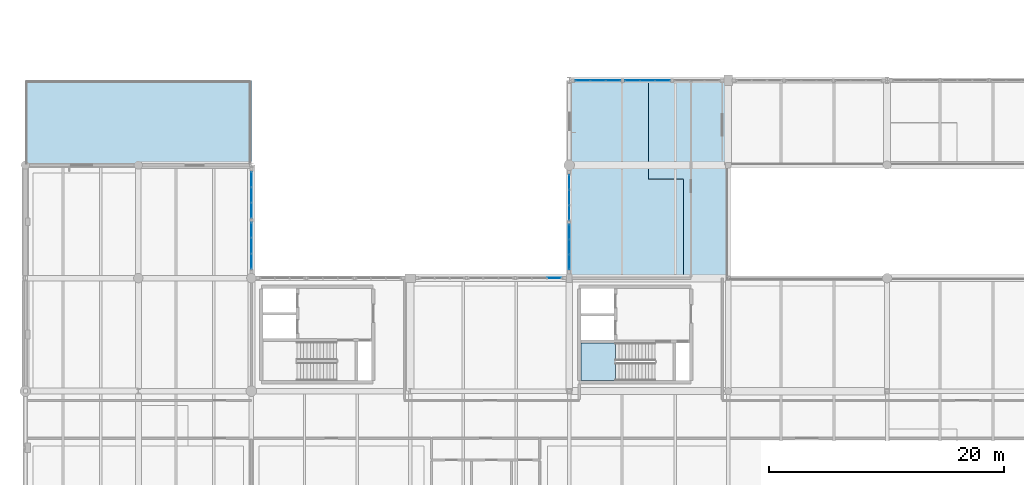
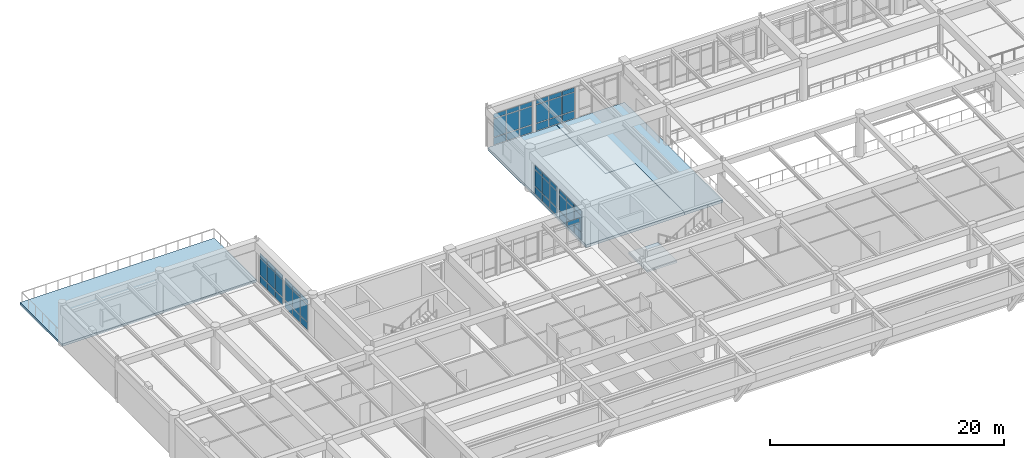
# One storey, part 52 of 80: 55 plates, 4 slabs, 8 elements without a shape of their own.
"""IFC4 building model written with IfcOpenShell, lengths in metres."""

from ifc_helpers import new_model, si_unit, direction, frame, origin, origin_2d, place, context, subcontext, project, spatial, polyline, rectangle, outline, extrude, material, layer, layer_set, type_object, element, aggregate, save


model = new_model("IFC4")

# Units and contexts
model_context = context("Model", 3, precision=1e-05, world=origin(), true_north=direction((0.0, 1.0)))
body_context = subcontext(model_context, "Body", "Model", "MODEL_VIEW")
ifc_project = project(units=[si_unit("LENGTHUNIT", "METRE"), si_unit("AREAUNIT", "SQUARE_METRE"), si_unit("VOLUMEUNIT", "CUBIC_METRE"), si_unit("PLANEANGLEUNIT", "RADIAN"), si_unit("MASSUNIT", "GRAM", prefix="KILO")], contexts=[model_context])

# Site, building, storey
site_placement = place(None, origin())
site = spatial("IfcSite", under=ifc_project, at=site_placement, CompositionType="ELEMENT")
building_placement = place(site_placement, origin())
building = spatial("IfcBuilding", under=site, at=building_placement, Name="Fikremerkos Civic Library", CompositionType="ELEMENT")
storey_placement = place(building_placement, frame((0.0, 0.0, 9.89990234375)))
storey = spatial("IfcBuildingStorey", under=building, at=storey_placement, Name="L02", CompositionType="ELEMENT", Elevation=9.89990234375)

# Curtain wall, plates
ifc_material_1 = material(Name="Anodized aluminium Frame", Category="aluminium")
ifc_layer_1 = layer(ifc_material_1, 0.159912109375, Name="Anodized aluminium Frame")
ifc_layer_set_1 = layer_set([ifc_layer_1], Name="Anodized aluminium Frame")
curtain_wall_type_1 = type_object("IfcCurtainWallType", Name="Unitised curtain wall CW-01 3600x3600", PredefinedType="USERDEFINED", material=ifc_layer_set_1)
curtain_wall_1_placement = place(storey_placement, origin())
curtain_wall_1 = element("IfcCurtainWall", 1, at=curtain_wall_1_placement, inside=storey, type_object=curtain_wall_type_1, Name="Unitised curtain wall CW-01 L02 #145", ObjectType="UNITISED CURTAIN WALL", PredefinedType="USERDEFINED")
ifc_material_2 = material(Name="Solar control double glazing", Category="glass")
ifc_layer_2 = layer(ifc_material_2, 0.028076171875, Name="Solar control double glazing")
ifc_layer_set_2 = layer_set([ifc_layer_2], Name="Solar control double glazing")
plate_type_1 = type_object("IfcPlateType", Name="Curtain glazing panel CWP-01 28", PredefinedType="CURTAIN_PANEL", material=ifc_layer_set_2)
plate_1_placement = place(storey_placement, frame((19.199951171875, 35.275146484375, 0.070068359375), z_axis=(0.0, 0.0, 1.0), x_axis=(0.0, -1.0, 0.0)))
plate_1 = element("IfcPlate", 2, at=plate_1_placement, type_object=plate_type_1, Name="CW-01 panel 1.1", PredefinedType="CURTAIN_PANEL", context=body_context, shape_type="SweptSolid", body=[
    extrude(rectangle(XDim=1.23974609375, YDim=0.028076171875, at=origin_2d()), origin(), (0.0, 0.0, 1.0), 0.7451171875),
])
plate_2_placement = place(storey_placement, frame((19.199951171875, 35.275146484375, 0.88525390625), z_axis=(0.0, 0.0, 1.0), x_axis=(0.0, -1.0, 0.0)))
plate_2 = element("IfcPlate", 3, at=plate_2_placement, type_object=plate_type_1, Name="CW-01 panel 1.2", PredefinedType="CURTAIN_PANEL", context=body_context, shape_type="SweptSolid", body=[
    extrude(rectangle(XDim=1.23974609375, YDim=0.028076171875, at=origin_2d()), origin(), (0.0, 0.0, 1.0), 1.780029296875),
])
plate_3_placement = place(storey_placement, frame((19.199951171875, 35.275146484375, 2.73486328125), z_axis=(0.0, 0.0, 1.0), x_axis=(0.0, -1.0, 0.0)))
plate_3 = element("IfcPlate", 4, at=plate_3_placement, type_object=plate_type_1, Name="CW-01 panel 1.3", PredefinedType="CURTAIN_PANEL", context=body_context, shape_type="SweptSolid", body=[
    extrude(rectangle(XDim=1.23974609375, YDim=0.028076171875, at=origin_2d()), origin(), (0.0, 0.0, 1.0), 0.445068359375),
])
plate_4_placement = place(storey_placement, frame((19.199951171875, 33.9541015625, 0.070068359375), z_axis=(0.0, 0.0, 1.0), x_axis=(0.0, -1.0, 0.0)))
plate_4 = element("IfcPlate", 5, at=plate_4_placement, type_object=plate_type_1, Name="CW-01 panel 2.1", PredefinedType="CURTAIN_PANEL", context=body_context, shape_type="SweptSolid", body=[
    extrude(rectangle(XDim=1.272216796875, YDim=0.028076171875, at=origin_2d()), origin(), (0.0, 0.0, 1.0), 0.7451171875),
])
plate_5_placement = place(storey_placement, frame((19.199951171875, 33.9541015625, 0.88525390625), z_axis=(0.0, 0.0, 1.0), x_axis=(0.0, -1.0, 0.0)))
plate_5 = element("IfcPlate", 6, at=plate_5_placement, type_object=plate_type_1, Name="CW-01 panel 2.2", PredefinedType="CURTAIN_PANEL", context=body_context, shape_type="SweptSolid", body=[
    extrude(rectangle(XDim=1.272216796875, YDim=0.028076171875, at=origin_2d()), origin(), (0.0, 0.0, 1.0), 1.780029296875),
])
plate_6_placement = place(storey_placement, frame((19.199951171875, 33.9541015625, 2.73486328125), z_axis=(0.0, 0.0, 1.0), x_axis=(0.0, -1.0, 0.0)))
plate_6 = element("IfcPlate", 7, at=plate_6_placement, type_object=plate_type_1, Name="CW-01 panel 2.3", PredefinedType="CURTAIN_PANEL", context=body_context, shape_type="SweptSolid", body=[
    extrude(rectangle(XDim=1.272216796875, YDim=0.028076171875, at=origin_2d()), origin(), (0.0, 0.0, 1.0), 0.445068359375),
])
plate_7_placement = place(storey_placement, frame((19.199951171875, 32.6328125, 0.070068359375), z_axis=(0.0, 0.0, 1.0), x_axis=(0.0, -1.0, 0.0)))
plate_7 = element("IfcPlate", 8, at=plate_7_placement, type_object=plate_type_1, Name="CW-01 panel 3.1", PredefinedType="CURTAIN_PANEL", context=body_context, shape_type="SweptSolid", body=[
    extrude(rectangle(XDim=1.23974609375, YDim=0.028076171875, at=origin_2d()), origin(), (0.0, 0.0, 1.0), 0.7451171875),
])
plate_8_placement = place(storey_placement, frame((19.199951171875, 32.6328125, 0.88525390625), z_axis=(0.0, 0.0, 1.0), x_axis=(0.0, -1.0, 0.0)))
plate_8 = element("IfcPlate", 9, at=plate_8_placement, type_object=plate_type_1, Name="CW-01 panel 3.2", PredefinedType="CURTAIN_PANEL", context=body_context, shape_type="SweptSolid", body=[
    extrude(rectangle(XDim=1.23974609375, YDim=0.028076171875, at=origin_2d()), origin(), (0.0, 0.0, 1.0), 1.780029296875),
])
plate_9_placement = place(storey_placement, frame((19.199951171875, 32.6328125, 2.73486328125), z_axis=(0.0, 0.0, 1.0), x_axis=(0.0, -1.0, 0.0)))
plate_9 = element("IfcPlate", 10, at=plate_9_placement, type_object=plate_type_1, Name="CW-01 panel 3.3", PredefinedType="CURTAIN_PANEL", context=body_context, shape_type="SweptSolid", body=[
    extrude(rectangle(XDim=1.23974609375, YDim=0.028076171875, at=origin_2d()), origin(), (0.0, 0.0, 1.0), 0.445068359375),
])
aggregate(curtain_wall_1, [plate_1, plate_2, plate_3, plate_4, plate_5, plate_6, plate_7, plate_8, plate_9])

ifc_layer_3 = layer(ifc_material_1, 0.159912109375, Name="Anodized aluminium Frame")
ifc_layer_set_3 = layer_set([ifc_layer_3], Name="Anodized aluminium Frame")
curtain_wall_type_2 = type_object("IfcCurtainWallType", Name="Unitised curtain wall CW-09 3600x3400", PredefinedType="USERDEFINED", material=ifc_layer_set_3)
curtain_wall_2_placement = place(storey_placement, origin())
curtain_wall_2 = element("IfcCurtainWall", 11, at=curtain_wall_2_placement, inside=storey, type_object=curtain_wall_type_2, Name="Unitised curtain wall CW-09 L02 #153", ObjectType="UNITISED CURTAIN WALL", PredefinedType="USERDEFINED")
plate_10_placement = place(storey_placement, frame((46.199951171875, 36.7666015625, 0.070068359375), z_axis=(0.0, 0.0, 1.0), x_axis=(0.0, 1.0, 0.0)))
plate_10 = element("IfcPlate", 12, at=plate_10_placement, type_object=plate_type_1, Name="CW-09 panel 1.1", PredefinedType="CURTAIN_PANEL", context=body_context, shape_type="SweptSolid", body=[
    extrude(rectangle(XDim=1.203125, YDim=0.028076171875, at=origin_2d()), origin(), (0.0, 0.0, 1.0), 0.7451171875),
])
plate_11_placement = place(storey_placement, frame((46.199951171875, 36.7666015625, 0.88525390625), z_axis=(0.0, 0.0, 1.0), x_axis=(0.0, 1.0, 0.0)))
plate_11 = element("IfcPlate", 13, at=plate_11_placement, type_object=plate_type_1, Name="CW-09 panel 1.2", PredefinedType="CURTAIN_PANEL", context=body_context, shape_type="SweptSolid", body=[
    extrude(rectangle(XDim=1.203125, YDim=0.028076171875, at=origin_2d()), origin(), (0.0, 0.0, 1.0), 1.679931640625),
])
plate_12_placement = place(storey_placement, frame((46.199951171875, 36.7666015625, 2.63525390625), z_axis=(0.0, 0.0, 1.0), x_axis=(0.0, 1.0, 0.0)))
plate_12 = element("IfcPlate", 14, at=plate_12_placement, type_object=plate_type_1, Name="CW-09 panel 1.3", PredefinedType="CURTAIN_PANEL", context=body_context, shape_type="SweptSolid", body=[
    extrude(rectangle(XDim=1.203125, YDim=0.028076171875, at=origin_2d()), origin(), (0.0, 0.0, 1.0), 0.445068359375),
])
plate_13_placement = place(storey_placement, frame((46.199951171875, 38.051025390625, 0.070068359375), z_axis=(0.0, 0.0, 1.0), x_axis=(0.0, 1.0, 0.0)))
plate_13 = element("IfcPlate", 15, at=plate_13_placement, type_object=plate_type_1, Name="CW-09 panel 2.1", PredefinedType="CURTAIN_PANEL", context=body_context, shape_type="SweptSolid", body=[
    extrude(rectangle(XDim=1.235595703125, YDim=0.028076171875, at=origin_2d()), origin(), (0.0, 0.0, 1.0), 0.7451171875),
])
plate_14_placement = place(storey_placement, frame((46.199951171875, 38.051025390625, 0.88525390625), z_axis=(0.0, 0.0, 1.0), x_axis=(0.0, 1.0, 0.0)))
plate_14 = element("IfcPlate", 16, at=plate_14_placement, type_object=plate_type_1, Name="CW-09 panel 2.2", PredefinedType="CURTAIN_PANEL", context=body_context, shape_type="SweptSolid", body=[
    extrude(rectangle(XDim=1.235595703125, YDim=0.028076171875, at=origin_2d()), origin(), (0.0, 0.0, 1.0), 1.679931640625),
])
plate_15_placement = place(storey_placement, frame((46.199951171875, 38.051025390625, 2.63525390625), z_axis=(0.0, 0.0, 1.0), x_axis=(0.0, 1.0, 0.0)))
plate_15 = element("IfcPlate", 17, at=plate_15_placement, type_object=plate_type_1, Name="CW-09 panel 2.3", PredefinedType="CURTAIN_PANEL", context=body_context, shape_type="SweptSolid", body=[
    extrude(rectangle(XDim=1.235595703125, YDim=0.028076171875, at=origin_2d()), origin(), (0.0, 0.0, 1.0), 0.445068359375),
])
plate_16_placement = place(storey_placement, frame((46.199951171875, 39.33544921875, 0.070068359375), z_axis=(0.0, 0.0, 1.0), x_axis=(0.0, 1.0, 0.0)))
plate_16 = element("IfcPlate", 18, at=plate_16_placement, type_object=plate_type_1, Name="CW-09 panel 3.1", PredefinedType="CURTAIN_PANEL", context=body_context, shape_type="SweptSolid", body=[
    extrude(rectangle(XDim=1.203125, YDim=0.028076171875, at=origin_2d()), origin(), (0.0, 0.0, 1.0), 0.7451171875),
])
plate_17_placement = place(storey_placement, frame((46.199951171875, 39.33544921875, 0.88525390625), z_axis=(0.0, 0.0, 1.0), x_axis=(0.0, 1.0, 0.0)))
plate_17 = element("IfcPlate", 19, at=plate_17_placement, type_object=plate_type_1, Name="CW-09 panel 3.2", PredefinedType="CURTAIN_PANEL", context=body_context, shape_type="SweptSolid", body=[
    extrude(rectangle(XDim=1.203125, YDim=0.028076171875, at=origin_2d()), origin(), (0.0, 0.0, 1.0), 1.679931640625),
])
plate_18_placement = place(storey_placement, frame((46.199951171875, 39.33544921875, 2.63525390625), z_axis=(0.0, 0.0, 1.0), x_axis=(0.0, 1.0, 0.0)))
plate_18 = element("IfcPlate", 20, at=plate_18_placement, type_object=plate_type_1, Name="CW-09 panel 3.3", PredefinedType="CURTAIN_PANEL", context=body_context, shape_type="SweptSolid", body=[
    extrude(rectangle(XDim=1.203125, YDim=0.028076171875, at=origin_2d()), origin(), (0.0, 0.0, 1.0), 0.445068359375),
])
aggregate(curtain_wall_2, [plate_10, plate_11, plate_12, plate_13, plate_14, plate_15, plate_16, plate_17, plate_18])

ifc_layer_4 = layer(ifc_material_1, 0.159912109375, Name="Anodized aluminium Frame")
ifc_layer_set_4 = layer_set([ifc_layer_4], Name="Anodized aluminium Frame")
curtain_wall_type_3 = type_object("IfcCurtainWallType", Name="Unitised curtain wall CW-18 2700x3400", PredefinedType="USERDEFINED", material=ifc_layer_set_4)
curtain_wall_3_placement = place(storey_placement, origin())
curtain_wall_3 = element("IfcCurtainWall", 21, at=curtain_wall_3_placement, inside=storey, type_object=curtain_wall_type_3, Name="Unitised curtain wall CW-18 L02 #144", ObjectType="UNITISED CURTAIN WALL", PredefinedType="USERDEFINED")
ifc_layer_5 = layer(ifc_material_2, 0.035888671875, Name="Solar control double glazing")
ifc_layer_set_5 = layer_set([ifc_layer_5], Name="Solar control double glazing")
plate_type_2 = type_object("IfcPlateType", Name="Curtain glazing panel CWP-02 36", PredefinedType="CURTAIN_PANEL", material=ifc_layer_set_5)
plate_19_placement = place(storey_placement, frame((19.199951171875, 39.58837890625, 0.070068359375), z_axis=(0.0, 0.0, 1.0), x_axis=(0.0, -1.0, 0.0)))
plate_19 = element("IfcPlate", 22, at=plate_19_placement, type_object=plate_type_2, Name="CW-18 panel 1.1", PredefinedType="CURTAIN_PANEL", context=body_context, shape_type="SweptSolid", body=[
    extrude(rectangle(XDim=1.247314453125, YDim=0.035888671875, at=origin_2d()), origin(), (0.0, 0.0, 1.0), 0.7451171875),
])
plate_20_placement = place(storey_placement, frame((19.199951171875, 39.58837890625, 0.88525390625), z_axis=(0.0, 0.0, 1.0), x_axis=(0.0, -1.0, 0.0)))
plate_20 = element("IfcPlate", 23, at=plate_20_placement, type_object=plate_type_2, Name="CW-18 panel 1.2", PredefinedType="CURTAIN_PANEL", context=body_context, shape_type="SweptSolid", body=[
    extrude(rectangle(XDim=1.247314453125, YDim=0.035888671875, at=origin_2d()), origin(), (0.0, 0.0, 1.0), 1.780029296875),
])
plate_21_placement = place(storey_placement, frame((19.199951171875, 39.58837890625, 2.73486328125), z_axis=(0.0, 0.0, 1.0), x_axis=(0.0, -1.0, 0.0)))
plate_21 = element("IfcPlate", 24, at=plate_21_placement, type_object=plate_type_2, Name="CW-18 panel 1.3", PredefinedType="CURTAIN_PANEL", context=body_context, shape_type="SweptSolid", body=[
    extrude(rectangle(XDim=1.247314453125, YDim=0.035888671875, at=origin_2d()), origin(), (0.0, 0.0, 1.0), 0.445068359375),
])
plate_22_placement = place(storey_placement, frame((19.199951171875, 38.26611328125, 0.070068359375), z_axis=(0.0, 0.0, 1.0), x_axis=(0.0, -1.0, 0.0)))
plate_22 = element("IfcPlate", 25, at=plate_22_placement, type_object=plate_type_2, Name="CW-18 panel 2.1", PredefinedType="CURTAIN_PANEL", context=body_context, shape_type="SweptSolid", body=[
    extrude(rectangle(XDim=1.27734375, YDim=0.035888671875, at=origin_2d()), origin(), (0.0, 0.0, 1.0), 0.7451171875),
])
plate_23_placement = place(storey_placement, frame((19.199951171875, 38.26611328125, 0.88525390625), z_axis=(0.0, 0.0, 1.0), x_axis=(0.0, -1.0, 0.0)))
plate_23 = element("IfcPlate", 26, at=plate_23_placement, type_object=plate_type_2, Name="CW-18 panel 2.2", PredefinedType="CURTAIN_PANEL", context=body_context, shape_type="SweptSolid", body=[
    extrude(rectangle(XDim=1.27734375, YDim=0.035888671875, at=origin_2d()), origin(), (0.0, 0.0, 1.0), 1.780029296875),
])
plate_24_placement = place(storey_placement, frame((19.199951171875, 38.26611328125, 2.73486328125), z_axis=(0.0, 0.0, 1.0), x_axis=(0.0, -1.0, 0.0)))
plate_24 = element("IfcPlate", 27, at=plate_24_placement, type_object=plate_type_2, Name="CW-18 panel 2.3", PredefinedType="CURTAIN_PANEL", context=body_context, shape_type="SweptSolid", body=[
    extrude(rectangle(XDim=1.27734375, YDim=0.035888671875, at=origin_2d()), origin(), (0.0, 0.0, 1.0), 0.445068359375),
])
plate_25_placement = place(storey_placement, frame((19.199951171875, 36.943603515625, 0.070068359375), z_axis=(0.0, 0.0, 1.0), x_axis=(0.0, -1.0, 0.0)))
plate_25 = element("IfcPlate", 28, at=plate_25_placement, type_object=plate_type_2, Name="CW-18 panel 3.1", PredefinedType="CURTAIN_PANEL", context=body_context, shape_type="SweptSolid", body=[
    extrude(rectangle(XDim=1.247314453125, YDim=0.035888671875, at=origin_2d()), origin(), (0.0, 0.0, 1.0), 0.7451171875),
])
plate_26_placement = place(storey_placement, frame((19.199951171875, 36.943603515625, 0.88525390625), z_axis=(0.0, 0.0, 1.0), x_axis=(0.0, -1.0, 0.0)))
plate_26 = element("IfcPlate", 29, at=plate_26_placement, type_object=plate_type_2, Name="CW-18 panel 3.2", PredefinedType="CURTAIN_PANEL", context=body_context, shape_type="SweptSolid", body=[
    extrude(rectangle(XDim=1.247314453125, YDim=0.035888671875, at=origin_2d()), origin(), (0.0, 0.0, 1.0), 1.780029296875),
])
plate_27_placement = place(storey_placement, frame((19.199951171875, 36.943603515625, 2.73486328125), z_axis=(0.0, 0.0, 1.0), x_axis=(0.0, -1.0, 0.0)))
plate_27 = element("IfcPlate", 30, at=plate_27_placement, type_object=plate_type_2, Name="CW-18 panel 3.3", PredefinedType="CURTAIN_PANEL", context=body_context, shape_type="SweptSolid", body=[
    extrude(rectangle(XDim=1.247314453125, YDim=0.035888671875, at=origin_2d()), origin(), (0.0, 0.0, 1.0), 0.445068359375),
])
aggregate(curtain_wall_3, [plate_19, plate_20, plate_21, plate_22, plate_23, plate_24, plate_25, plate_26, plate_27])

ifc_layer_6 = layer(ifc_material_1, 0.159912109375, Name="Anodized aluminium Frame")
ifc_layer_set_6 = layer_set([ifc_layer_6], Name="Anodized aluminium Frame")
curtain_wall_type_4 = type_object("IfcCurtainWallType", Name="Unitised curtain wall CW-10 4000x3400", PredefinedType="USERDEFINED", material=ifc_layer_set_6)
curtain_wall_4_placement = place(storey_placement, origin())
curtain_wall_4 = element("IfcCurtainWall", 31, at=curtain_wall_4_placement, inside=storey, type_object=curtain_wall_type_4, Name="Unitised curtain wall CW-10 L02 #154", ObjectType="UNITISED CURTAIN WALL", PredefinedType="USERDEFINED")
plate_28_placement = place(storey_placement, frame((47.36328125, 48.0, 0.070068359375), z_axis=(0.0, 0.0, 1.0), x_axis=(1.0, 0.0, 0.0)))
plate_28 = element("IfcPlate", 32, at=plate_28_placement, type_object=plate_type_2, Name="CW-10 panel 1.1", PredefinedType="CURTAIN_PANEL", context=body_context, shape_type="SweptSolid", body=[
    extrude(rectangle(XDim=1.21044921875, YDim=0.035888671875, at=origin_2d()), origin(), (0.0, 0.0, 1.0), 0.7451171875),
])
plate_29_placement = place(storey_placement, frame((47.36328125, 48.0, 0.88525390625), z_axis=(0.0, 0.0, 1.0), x_axis=(1.0, 0.0, 0.0)))
plate_29 = element("IfcPlate", 33, at=plate_29_placement, type_object=plate_type_2, Name="CW-10 panel 1.2", PredefinedType="CURTAIN_PANEL", context=body_context, shape_type="SweptSolid", body=[
    extrude(rectangle(XDim=1.21044921875, YDim=0.035888671875, at=origin_2d()), origin(), (0.0, 0.0, 1.0), 1.889892578125),
])
plate_30_placement = place(storey_placement, frame((47.36328125, 48.0, 2.84521484375), z_axis=(0.0, 0.0, 1.0), x_axis=(1.0, 0.0, 0.0)))
plate_30 = element("IfcPlate", 34, at=plate_30_placement, type_object=plate_type_2, Name="CW-10 panel 1.3", PredefinedType="CURTAIN_PANEL", context=body_context, shape_type="SweptSolid", body=[
    extrude(rectangle(XDim=1.21044921875, YDim=0.035888671875, at=origin_2d()), origin(), (0.0, 0.0, 1.0), 0.445068359375),
])
plate_31_placement = place(storey_placement, frame((48.648681640625, 48.0, 0.070068359375), z_axis=(0.0, 0.0, 1.0), x_axis=(1.0, 0.0, 0.0)))
plate_31 = element("IfcPlate", 35, at=plate_31_placement, type_object=plate_type_2, Name="CW-10 panel 2.1", PredefinedType="CURTAIN_PANEL", context=body_context, shape_type="SweptSolid", body=[
    extrude(rectangle(XDim=1.240478515625, YDim=0.035888671875, at=origin_2d()), origin(), (0.0, 0.0, 1.0), 0.7451171875),
])
plate_32_placement = place(storey_placement, frame((48.648681640625, 48.0, 0.88525390625), z_axis=(0.0, 0.0, 1.0), x_axis=(1.0, 0.0, 0.0)))
plate_32 = element("IfcPlate", 36, at=plate_32_placement, type_object=plate_type_2, Name="CW-10 panel 2.2", PredefinedType="CURTAIN_PANEL", context=body_context, shape_type="SweptSolid", body=[
    extrude(rectangle(XDim=1.240478515625, YDim=0.035888671875, at=origin_2d()), origin(), (0.0, 0.0, 1.0), 1.889892578125),
])
plate_33_placement = place(storey_placement, frame((48.648681640625, 48.0, 2.84521484375), z_axis=(0.0, 0.0, 1.0), x_axis=(1.0, 0.0, 0.0)))
plate_33 = element("IfcPlate", 37, at=plate_33_placement, type_object=plate_type_2, Name="CW-10 panel 2.3", PredefinedType="CURTAIN_PANEL", context=body_context, shape_type="SweptSolid", body=[
    extrude(rectangle(XDim=1.240478515625, YDim=0.035888671875, at=origin_2d()), origin(), (0.0, 0.0, 1.0), 0.445068359375),
])
plate_34_placement = place(storey_placement, frame((49.93408203125, 48.0, 0.070068359375), z_axis=(0.0, 0.0, 1.0), x_axis=(1.0, 0.0, 0.0)))
plate_34 = element("IfcPlate", 38, at=plate_34_placement, type_object=plate_type_2, Name="CW-10 panel 3.1", PredefinedType="CURTAIN_PANEL", context=body_context, shape_type="SweptSolid", body=[
    extrude(rectangle(XDim=1.21044921875, YDim=0.035888671875, at=origin_2d()), origin(), (0.0, 0.0, 1.0), 0.7451171875),
])
plate_35_placement = place(storey_placement, frame((49.93408203125, 48.0, 0.88525390625), z_axis=(0.0, 0.0, 1.0), x_axis=(1.0, 0.0, 0.0)))
plate_35 = element("IfcPlate", 39, at=plate_35_placement, type_object=plate_type_2, Name="CW-10 panel 3.2", PredefinedType="CURTAIN_PANEL", context=body_context, shape_type="SweptSolid", body=[
    extrude(rectangle(XDim=1.21044921875, YDim=0.035888671875, at=origin_2d()), origin(), (0.0, 0.0, 1.0), 1.889892578125),
])
plate_36_placement = place(storey_placement, frame((49.93408203125, 48.0, 2.84521484375), z_axis=(0.0, 0.0, 1.0), x_axis=(1.0, 0.0, 0.0)))
plate_36 = element("IfcPlate", 40, at=plate_36_placement, type_object=plate_type_2, Name="CW-10 panel 3.3", PredefinedType="CURTAIN_PANEL", context=body_context, shape_type="SweptSolid", body=[
    extrude(rectangle(XDim=1.21044921875, YDim=0.035888671875, at=origin_2d()), origin(), (0.0, 0.0, 1.0), 0.445068359375),
])
aggregate(curtain_wall_4, [plate_28, plate_29, plate_30, plate_31, plate_32, plate_33, plate_34, plate_35, plate_36])

# Curtain wall, plate
ifc_layer_7 = layer(ifc_material_1, 0.159912109375, Name="Anodized aluminium Frame")
ifc_layer_set_7 = layer_set([ifc_layer_7], Name="Anodized aluminium Frame")
curtain_wall_type_5 = type_object("IfcCurtainWallType", Name="Unitised curtain wall CW-07 3500x4100", PredefinedType="USERDEFINED", material=ifc_layer_set_7)
curtain_wall_5_placement = place(storey_placement, origin())
curtain_wall_5 = element("IfcCurtainWall", 41, at=curtain_wall_5_placement, inside=storey, type_object=curtain_wall_type_5, Name="Unitised curtain wall CW-07 L02 #151", ObjectType="UNITISED CURTAIN WALL", PredefinedType="USERDEFINED")
ifc_material_3 = material(Name="Insulated aluminium spandrel", Category="aluminium")
ifc_layer_8 = layer(ifc_material_3, 0.044921875, Name="Insulated aluminium spandrel")
ifc_layer_set_8 = layer_set([ifc_layer_8], Name="Insulated aluminium spandrel")
plate_type_3 = type_object("IfcPlateType", Name="Curtain spandrel panel CSP-01 45", PredefinedType="CURTAIN_PANEL", material=ifc_layer_set_8)
plate_37_placement = place(storey_placement, frame((44.947998046875, 31.199951171875, 2.63525390625), z_axis=(0.0, 0.0, 1.0), x_axis=(1.0, 0.0, 0.0)))
plate_37 = element("IfcPlate", 42, at=plate_37_placement, type_object=plate_type_3, Name="CW-07 panel 3.3", PredefinedType="CURTAIN_PANEL", context=body_context, shape_type="SweptSolid", body=[
    extrude(rectangle(XDim=1.188232421875, YDim=0.044921875, at=origin_2d()), origin(), (0.0, 0.0, 1.0), 0.445068359375),
])
aggregate(curtain_wall_5, [plate_37])

# Curtain wall, plates
ifc_layer_9 = layer(ifc_material_1, 0.159912109375, Name="Anodized aluminium Frame")
ifc_layer_set_9 = layer_set([ifc_layer_9], Name="Anodized aluminium Frame")
curtain_wall_type_6 = type_object("IfcCurtainWallType", Name="Unitised curtain wall CW-11 3200x3400", PredefinedType="USERDEFINED", material=ifc_layer_set_9)
curtain_wall_6_placement = place(storey_placement, origin())
curtain_wall_6 = element("IfcCurtainWall", 43, at=curtain_wall_6_placement, inside=storey, type_object=curtain_wall_type_6, Name="Unitised curtain wall CW-11 L02 #155", ObjectType="UNITISED CURTAIN WALL", PredefinedType="USERDEFINED")
plate_38_placement = place(storey_placement, frame((51.564453125, 48.0, 0.065185546875), z_axis=(0.0, 0.0, 1.0), x_axis=(1.0, 0.0, 0.0)))
plate_38 = element("IfcPlate", 44, at=plate_38_placement, type_object=plate_type_3, Name="CW-11 panel 1.1", PredefinedType="CURTAIN_PANEL", context=body_context, shape_type="SweptSolid", body=[
    extrude(rectangle(XDim=1.21044921875, YDim=0.044921875, at=origin_2d()), origin(), (0.0, 0.0, 1.0), 0.75244140625),
])
plate_39_placement = place(storey_placement, frame((51.564453125, 48.0, 0.882568359375), z_axis=(0.0, 0.0, 1.0), x_axis=(1.0, 0.0, 0.0)))
plate_39 = element("IfcPlate", 45, at=plate_39_placement, type_object=plate_type_3, Name="CW-11 panel 1.2", PredefinedType="CURTAIN_PANEL", context=body_context, shape_type="SweptSolid", body=[
    extrude(rectangle(XDim=1.21044921875, YDim=0.044921875, at=origin_2d()), origin(), (0.0, 0.0, 1.0), 1.89501953125),
])
plate_40_placement = place(storey_placement, frame((51.564453125, 48.0, 2.8427734375), z_axis=(0.0, 0.0, 1.0), x_axis=(1.0, 0.0, 0.0)))
plate_40 = element("IfcPlate", 46, at=plate_40_placement, type_object=plate_type_3, Name="CW-11 panel 1.3", PredefinedType="CURTAIN_PANEL", context=body_context, shape_type="SweptSolid", body=[
    extrude(rectangle(XDim=1.21044921875, YDim=0.044921875, at=origin_2d()), origin(), (0.0, 0.0, 1.0), 0.452392578125),
])
plate_41_placement = place(storey_placement, frame((52.85009765625, 48.0, 0.065185546875), z_axis=(0.0, 0.0, 1.0), x_axis=(1.0, 0.0, 0.0)))
plate_41 = element("IfcPlate", 47, at=plate_41_placement, type_object=plate_type_3, Name="CW-11 panel 2.1", PredefinedType="CURTAIN_PANEL", context=body_context, shape_type="SweptSolid", body=[
    extrude(rectangle(XDim=1.240478515625, YDim=0.044921875, at=origin_2d()), origin(), (0.0, 0.0, 1.0), 0.75244140625),
])
plate_42_placement = place(storey_placement, frame((52.85009765625, 48.0, 0.882568359375), z_axis=(0.0, 0.0, 1.0), x_axis=(1.0, 0.0, 0.0)))
plate_42 = element("IfcPlate", 48, at=plate_42_placement, type_object=plate_type_3, Name="CW-11 panel 2.2", PredefinedType="CURTAIN_PANEL", context=body_context, shape_type="SweptSolid", body=[
    extrude(rectangle(XDim=1.240478515625, YDim=0.044921875, at=origin_2d()), origin(), (0.0, 0.0, 1.0), 1.89501953125),
])
plate_43_placement = place(storey_placement, frame((52.85009765625, 48.0, 2.8427734375), z_axis=(0.0, 0.0, 1.0), x_axis=(1.0, 0.0, 0.0)))
plate_43 = element("IfcPlate", 49, at=plate_43_placement, type_object=plate_type_3, Name="CW-11 panel 2.3", PredefinedType="CURTAIN_PANEL", context=body_context, shape_type="SweptSolid", body=[
    extrude(rectangle(XDim=1.240478515625, YDim=0.044921875, at=origin_2d()), origin(), (0.0, 0.0, 1.0), 0.452392578125),
])
plate_44_placement = place(storey_placement, frame((54.135498046875, 48.0, 0.065185546875), z_axis=(0.0, 0.0, 1.0), x_axis=(1.0, 0.0, 0.0)))
plate_44 = element("IfcPlate", 50, at=plate_44_placement, type_object=plate_type_3, Name="CW-11 panel 3.1", PredefinedType="CURTAIN_PANEL", context=body_context, shape_type="SweptSolid", body=[
    extrude(rectangle(XDim=1.21044921875, YDim=0.044921875, at=origin_2d()), origin(), (0.0, 0.0, 1.0), 0.75244140625),
])
plate_45_placement = place(storey_placement, frame((54.135498046875, 48.0, 0.882568359375), z_axis=(0.0, 0.0, 1.0), x_axis=(1.0, 0.0, 0.0)))
plate_45 = element("IfcPlate", 51, at=plate_45_placement, type_object=plate_type_3, Name="CW-11 panel 3.2", PredefinedType="CURTAIN_PANEL", context=body_context, shape_type="SweptSolid", body=[
    extrude(rectangle(XDim=1.21044921875, YDim=0.044921875, at=origin_2d()), origin(), (0.0, 0.0, 1.0), 1.89501953125),
])
plate_46_placement = place(storey_placement, frame((54.135498046875, 48.0, 2.8427734375), z_axis=(0.0, 0.0, 1.0), x_axis=(1.0, 0.0, 0.0)))
plate_46 = element("IfcPlate", 52, at=plate_46_placement, type_object=plate_type_3, Name="CW-11 panel 3.3", PredefinedType="CURTAIN_PANEL", context=body_context, shape_type="SweptSolid", body=[
    extrude(rectangle(XDim=1.21044921875, YDim=0.044921875, at=origin_2d()), origin(), (0.0, 0.0, 1.0), 0.452392578125),
])
aggregate(curtain_wall_6, [plate_38, plate_39, plate_40, plate_41, plate_42, plate_43, plate_44, plate_45, plate_46])

ifc_layer_10 = layer(ifc_material_1, 0.159912109375, Name="Anodized aluminium Frame")
ifc_layer_set_10 = layer_set([ifc_layer_10], Name="Anodized aluminium Frame")
curtain_wall_type_7 = type_object("IfcCurtainWallType", Name="Unitised curtain wall CW-08 4500x4100", PredefinedType="USERDEFINED", material=ifc_layer_set_10)
curtain_wall_7_placement = place(storey_placement, origin())
curtain_wall_7 = element("IfcCurtainWall", 53, at=curtain_wall_7_placement, inside=storey, type_object=curtain_wall_type_7, Name="Unitised curtain wall CW-08 L02 #152", ObjectType="UNITISED CURTAIN WALL", PredefinedType="USERDEFINED")
ifc_layer_11 = layer(ifc_material_3, 0.054931640625, Name="Insulated aluminium spandrel")
ifc_layer_set_11 = layer_set([ifc_layer_11], Name="Insulated aluminium spandrel")
plate_type_4 = type_object("IfcPlateType", Name="Curtain spandrel panel CSP-02 55", PredefinedType="CURTAIN_PANEL", material=ifc_layer_set_11)
plate_47_placement = place(storey_placement, frame((46.199951171875, 32.563232421875, 0.070068359375), z_axis=(0.0, 0.0, 1.0), x_axis=(0.0, 1.0, 0.0)))
plate_47 = element("IfcPlate", 54, at=plate_47_placement, type_object=plate_type_4, Name="CW-08 panel 1.1", PredefinedType="CURTAIN_PANEL", context=body_context, shape_type="SweptSolid", body=[
    extrude(rectangle(XDim=1.210693359375, YDim=0.054931640625, at=origin_2d()), origin(), (0.0, 0.0, 1.0), 0.7451171875),
])
plate_48_placement = place(storey_placement, frame((46.199951171875, 32.563232421875, 0.88525390625), z_axis=(0.0, 0.0, 1.0), x_axis=(0.0, 1.0, 0.0)))
plate_48 = element("IfcPlate", 55, at=plate_48_placement, type_object=plate_type_4, Name="CW-08 panel 1.2", PredefinedType="CURTAIN_PANEL", context=body_context, shape_type="SweptSolid", body=[
    extrude(rectangle(XDim=1.210693359375, YDim=0.054931640625, at=origin_2d()), origin(), (0.0, 0.0, 1.0), 1.679931640625),
])
plate_49_placement = place(storey_placement, frame((46.199951171875, 32.563232421875, 2.63525390625), z_axis=(0.0, 0.0, 1.0), x_axis=(0.0, 1.0, 0.0)))
plate_49 = element("IfcPlate", 56, at=plate_49_placement, type_object=plate_type_4, Name="CW-08 panel 1.3", PredefinedType="CURTAIN_PANEL", context=body_context, shape_type="SweptSolid", body=[
    extrude(rectangle(XDim=1.210693359375, YDim=0.054931640625, at=origin_2d()), origin(), (0.0, 0.0, 1.0), 0.445068359375),
])
plate_50_placement = place(storey_placement, frame((46.199951171875, 33.84912109375, 0.070068359375), z_axis=(0.0, 0.0, 1.0), x_axis=(0.0, 1.0, 0.0)))
plate_50 = element("IfcPlate", 57, at=plate_50_placement, type_object=plate_type_4, Name="CW-08 panel 2.1", PredefinedType="CURTAIN_PANEL", context=body_context, shape_type="SweptSolid", body=[
    extrude(rectangle(XDim=1.24072265625, YDim=0.054931640625, at=origin_2d()), origin(), (0.0, 0.0, 1.0), 0.7451171875),
])
plate_51_placement = place(storey_placement, frame((46.199951171875, 33.84912109375, 0.88525390625), z_axis=(0.0, 0.0, 1.0), x_axis=(0.0, 1.0, 0.0)))
plate_51 = element("IfcPlate", 58, at=plate_51_placement, type_object=plate_type_4, Name="CW-08 panel 2.2", PredefinedType="CURTAIN_PANEL", context=body_context, shape_type="SweptSolid", body=[
    extrude(rectangle(XDim=1.24072265625, YDim=0.054931640625, at=origin_2d()), origin(), (0.0, 0.0, 1.0), 1.679931640625),
])
plate_52_placement = place(storey_placement, frame((46.199951171875, 33.84912109375, 2.63525390625), z_axis=(0.0, 0.0, 1.0), x_axis=(0.0, 1.0, 0.0)))
plate_52 = element("IfcPlate", 59, at=plate_52_placement, type_object=plate_type_4, Name="CW-08 panel 2.3", PredefinedType="CURTAIN_PANEL", context=body_context, shape_type="SweptSolid", body=[
    extrude(rectangle(XDim=1.24072265625, YDim=0.054931640625, at=origin_2d()), origin(), (0.0, 0.0, 1.0), 0.445068359375),
])
plate_53_placement = place(storey_placement, frame((46.199951171875, 35.134765625, 0.070068359375), z_axis=(0.0, 0.0, 1.0), x_axis=(0.0, 1.0, 0.0)))
plate_53 = element("IfcPlate", 60, at=plate_53_placement, type_object=plate_type_4, Name="CW-08 panel 3.1", PredefinedType="CURTAIN_PANEL", context=body_context, shape_type="SweptSolid", body=[
    extrude(rectangle(XDim=1.210693359375, YDim=0.054931640625, at=origin_2d()), origin(), (0.0, 0.0, 1.0), 0.7451171875),
])
plate_54_placement = place(storey_placement, frame((46.199951171875, 35.134765625, 0.88525390625), z_axis=(0.0, 0.0, 1.0), x_axis=(0.0, 1.0, 0.0)))
plate_54 = element("IfcPlate", 61, at=plate_54_placement, type_object=plate_type_4, Name="CW-08 panel 3.2", PredefinedType="CURTAIN_PANEL", context=body_context, shape_type="SweptSolid", body=[
    extrude(rectangle(XDim=1.210693359375, YDim=0.054931640625, at=origin_2d()), origin(), (0.0, 0.0, 1.0), 1.679931640625),
])
plate_55_placement = place(storey_placement, frame((46.199951171875, 35.134765625, 2.63525390625), z_axis=(0.0, 0.0, 1.0), x_axis=(0.0, 1.0, 0.0)))
plate_55 = element("IfcPlate", 62, at=plate_55_placement, type_object=plate_type_4, Name="CW-08 panel 3.3", PredefinedType="CURTAIN_PANEL", context=body_context, shape_type="SweptSolid", body=[
    extrude(rectangle(XDim=1.210693359375, YDim=0.054931640625, at=origin_2d()), origin(), (0.0, 0.0, 1.0), 0.445068359375),
])
aggregate(curtain_wall_7, [plate_47, plate_48, plate_49, plate_50, plate_51, plate_52, plate_53, plate_54, plate_55])

# Slab
ifc_material_4 = material(Name="Concrete C40/50", Category="concrete")
ifc_layer_12 = layer(ifc_material_4, 0.239990234375, Name="Concrete C40/50")
ifc_layer_set_12 = layer_set([ifc_layer_12], Name="Concrete C40/50")
slab_type_1 = type_object("IfcSlabType", Name="External terrace slab ETS-01 240", PredefinedType="FLOOR", material=ifc_layer_set_12)
slab_1_placement = place(storey_placement, frame((0.0, 0.0, -0.239990234375)))
element("IfcSlab", 63, at=slab_1_placement, inside=storey, type_object=slab_type_1, Name="Reading terrace slab ETS-01 L02-TERR-01", PredefinedType="FLOOR", context=body_context, shape_type="SweptSolid", body=[
    extrude(outline(polyline([(0.0, 40.800048828125), (19.199951171875, 40.800048828125), (19.199951171875, 48.0), (0.0, 48.0), (0.0, 40.800048828125)])), origin(), (0.0, 0.0, 1.0), 0.239990234375),
])

# Stair, slab
stair_type = type_object("IfcStairType", Name="Half turn stair ST-HT-06 W1500 H4500", PredefinedType="HALF_TURN_STAIR", material=ifc_material_4)
stair_placement = place(storey_placement, origin())
stair = element("IfcStair", 64, at=stair_placement, inside=storey, type_object=stair_type, Name="L02 ST-K3", PredefinedType="HALF_TURN_STAIR")
ifc_layer_13 = layer(ifc_material_4, 0.199951171875, Name="Concrete C40/50")
ifc_layer_set_13 = layer_set([ifc_layer_13], Name="Concrete C40/50")
slab_type_2 = type_object("IfcSlabType", Name="Stair landing slab SLS-01 200", PredefinedType="LANDING", material=ifc_layer_set_13)
slab_2_placement = place(storey_placement, frame((0.0, 0.0, 2.050048828125)))
slab_2 = element("IfcSlab", 65, at=slab_2_placement, type_object=slab_type_2, Name="ST-K3 landing 1", PredefinedType="LANDING", context=body_context, shape_type="SweptSolid", body=[
    extrude(outline(polyline([(50.139892578125, 25.699951171875), (47.199951171875, 25.699951171875), (47.199951171875, 22.5), (50.139892578125, 22.5), (50.139892578125, 25.699951171875)])), origin(), (0.0, 0.0, 1.0), 0.199951171875),
])
aggregate(stair, [slab_2])

# Slabs
ifc_layer_14 = layer(ifc_material_4, 0.280029296875, Name="Concrete C40/50")
ifc_layer_set_14 = layer_set([ifc_layer_14], Name="Concrete C40/50")
slab_type_3 = type_object("IfcSlabType", Name="Suspended floor slab SFS-04 280", PredefinedType="FLOOR", material=ifc_layer_set_14)
slab_3_placement = place(storey_placement, frame((0.0, 0.0, -0.27978515625)))
element("IfcSlab", 66, at=slab_3_placement, inside=storey, type_object=slab_type_3, Name="Floor slab SFS-04 SLB-L02-V4-A-1L1", PredefinedType="FLOOR", context=body_context, shape_type="SweptSolid", body=[
    extrude(outline(polyline([(46.199951171875, 31.199951171875), (55.916015625, 31.199951171875), (55.916015625, 39.595947265625), (52.946044921875, 39.595947265625), (52.946044921875, 48.0), (46.199951171875, 48.0), (46.199951171875, 31.199951171875)])), origin(), (0.0, 0.0, 1.0), 0.27978515625),
])
slab_4_placement = place(storey_placement, frame((0.0, 0.0, -0.27978515625)))
element("IfcSlab", 67, at=slab_4_placement, inside=storey, type_object=slab_type_3, Name="Floor slab SFS-04 SLB-L02-V4-A-1L2", PredefinedType="FLOOR", context=body_context, shape_type="SweptSolid", body=[
    extrude(outline(polyline([(55.924072265625, 31.199951171875), (59.699951171875, 31.199951171875), (59.699951171875, 48.0), (52.9541015625, 48.0), (52.9541015625, 39.60400390625), (55.924072265625, 39.60400390625), (55.924072265625, 31.199951171875)])), origin(), (0.0, 0.0, 1.0), 0.27978515625),
])

save(model, "model.ifc")
